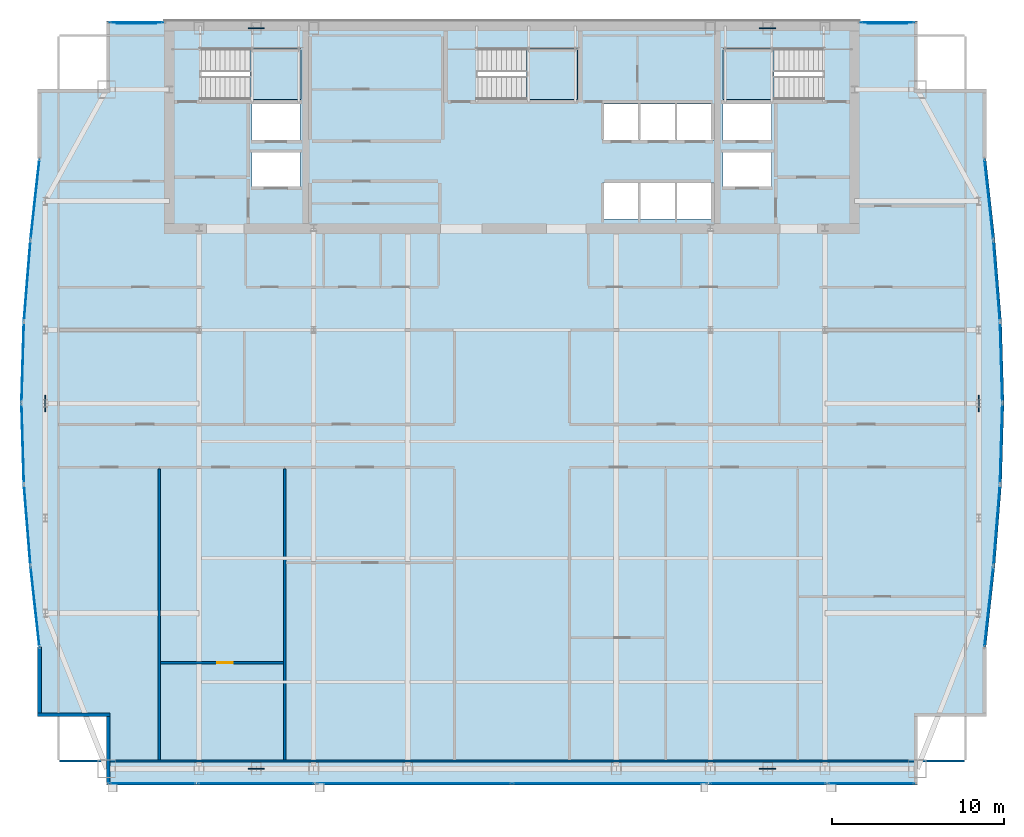
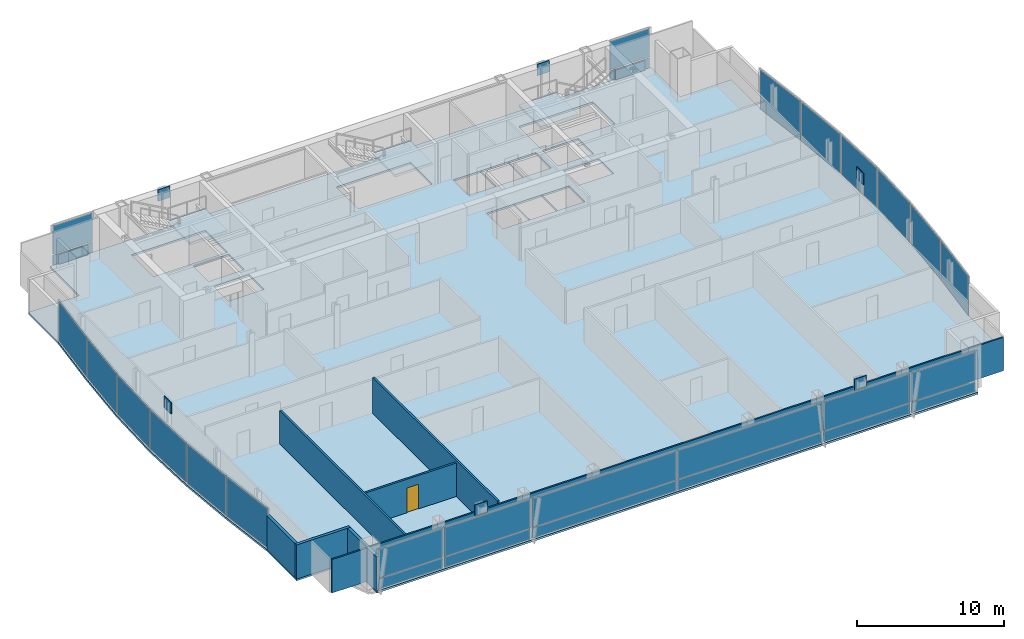
# One storey, part 23 of 29: 36 plates, 7 walls, 4 slabs, 1 door, 1 opening, 22 elements without a shape of their own.
"""IFC4 building model written with IfcOpenShell, lengths in metres."""

from ifc_helpers import new_model, si_unit, direction, frame, frame_2d, origin, origin_2d, place, context, subcontext, project, spatial, polyline, rectangle, outline, extrude, material, layer, layer_set, type_object, element, fill, aggregate, save


model = new_model("IFC4")

# Units and contexts
model_context = context("Model", 3, precision=1e-05, world=origin(), true_north=direction((0.0, 1.0)))
body_context = subcontext(model_context, "Body", "Model", "MODEL_VIEW")
ifc_project = project(units=[si_unit("LENGTHUNIT", "METRE"), si_unit("AREAUNIT", "SQUARE_METRE"), si_unit("VOLUMEUNIT", "CUBIC_METRE"), si_unit("PLANEANGLEUNIT", "RADIAN"), si_unit("MASSUNIT", "GRAM", prefix="KILO")], contexts=[model_context])

# Site, building, storey
site_placement = place(None, origin())
site = spatial("IfcSite", under=ifc_project, at=site_placement, CompositionType="ELEMENT")
building_placement = place(site_placement, origin())
building = spatial("IfcBuilding", under=site, at=building_placement, Name="Khoronbel Lancet Exchange", CompositionType="ELEMENT")
storey_placement = place(building_placement, frame((0.0, 0.0, 246.199951171875)))
storey = spatial("IfcBuildingStorey", under=building, at=storey_placement, Name="L63", CompositionType="ELEMENT", Elevation=246.199951171875)

# Curtain wall, plate
ifc_material_1 = material(Name="Low-E Solar Control Insulating Glass", Category="glass")
curtain_wall_type_1 = type_object("IfcCurtainWallType", Name="CW-4", PredefinedType="NOTDEFINED", material=ifc_material_1)
curtain_wall_1_placement = place(storey_placement, origin())
curtain_wall_1 = element("IfcCurtainWall", 1, at=curtain_wall_1_placement, inside=storey, type_object=curtain_wall_type_1, Name="Unitised curtain wall CW-L63-E05", PredefinedType="NOTDEFINED")
ifc_material_2 = material(Name="Bronze-Anodised Aluminium 6063-T6", Category="aluminium")
ifc_layer_1 = layer(ifc_material_2, 0.050048828125, Name="Bronze-Anodised Aluminium 6063-T6")
ifc_layer_set_1 = layer_set([ifc_layer_1], Name="Bronze-Anodised Aluminium 6063-T6")
plate_type_1 = type_object("IfcPlateType", Name="PLT-CSP1", PredefinedType="SHEET", material=ifc_layer_set_1)
plate_1_placement = place(storey_placement, frame((8.22265625, 24.331787109375, 0.0849609375), z_axis=(0.0, 0.0, 1.0), x_axis=(-0.080639943095, 0.996743296731, 0.0)))
plate_1 = element("IfcPlate", 2, at=plate_1_placement, type_object=plate_type_1, Name="CW4 panel 1.1", PredefinedType="CURTAIN_PANEL", context=body_context, shape_type="SweptSolid", body=[
    extrude(rectangle(XDim=4.61181640625, YDim=0.0380859375, at=origin_2d()), origin(), (0.0, 0.0, 1.0), 3.27001953125),
])
aggregate(curtain_wall_1, [plate_1])

curtain_wall_2_placement = place(storey_placement, origin())
curtain_wall_2 = element("IfcCurtainWall", 3, at=curtain_wall_2_placement, inside=storey, type_object=curtain_wall_type_1, Name="Unitised curtain wall CW-L63-E06", PredefinedType="NOTDEFINED")
plate_2_placement = place(storey_placement, frame((7.960205078125, 29.077392578125, 0.0849609375), z_axis=(0.0, 0.0, 1.0), x_axis=(-0.029618191076, 0.999561285143, 0.0)))
plate_2 = element("IfcPlate", 4, at=plate_2_placement, type_object=plate_type_1, Name="CW4 panel 1.1", PredefinedType="CURTAIN_PANEL", context=body_context, shape_type="SweptSolid", body=[
    extrude(rectangle(XDim=4.59716796875, YDim=0.0380859375, at=origin_2d()), origin(), (0.0, 0.0, 1.0), 3.27001953125),
])
aggregate(curtain_wall_2, [plate_2])

curtain_wall_3_placement = place(storey_placement, origin())
curtain_wall_3 = element("IfcCurtainWall", 5, at=curtain_wall_3_placement, inside=storey, type_object=curtain_wall_type_1, Name="Unitised curtain wall CW-L63-E07", PredefinedType="NOTDEFINED")
plate_3_placement = place(storey_placement, frame((7.960205078125, 33.822509765625, 0.0849609375), z_axis=(0.0, 0.0, 1.0), x_axis=(0.029618191076, 0.999561285143, 0.0)))
plate_3 = element("IfcPlate", 6, at=plate_3_placement, type_object=plate_type_1, Name="CW4 panel 1.1", PredefinedType="CURTAIN_PANEL", context=body_context, shape_type="SweptSolid", body=[
    extrude(rectangle(XDim=4.59716796875, YDim=0.0380859375, at=origin_2d()), origin(), (0.0, 0.0, 1.0), 3.27001953125),
])
aggregate(curtain_wall_3, [plate_3])

curtain_wall_4_placement = place(storey_placement, origin())
curtain_wall_4 = element("IfcCurtainWall", 7, at=curtain_wall_4_placement, inside=storey, type_object=curtain_wall_type_1, Name="Unitised curtain wall CW-L63-E08", PredefinedType="NOTDEFINED")
plate_4_placement = place(storey_placement, frame((8.22265625, 38.568115234375, 0.0849609375), z_axis=(0.0, 0.0, 1.0), x_axis=(0.080639943095, 0.996743296731, 0.0)))
plate_4 = element("IfcPlate", 8, at=plate_4_placement, type_object=plate_type_1, Name="CW4 panel 1.1", PredefinedType="CURTAIN_PANEL", context=body_context, shape_type="SweptSolid", body=[
    extrude(rectangle(XDim=4.61181640625, YDim=0.0380859375, at=origin_2d()), origin(), (0.0, 0.0, 1.0), 3.27001953125),
])
aggregate(curtain_wall_4, [plate_4])

curtain_wall_type_2 = type_object("IfcCurtainWallType", Name="CW-3", PredefinedType="NOTDEFINED", material=ifc_material_1)
curtain_wall_5_placement = place(storey_placement, origin())
curtain_wall_5 = element("IfcCurtainWall", 9, at=curtain_wall_5_placement, inside=storey, type_object=curtain_wall_type_2, Name="Unitised curtain wall CW-L63-NWFLK", PredefinedType="NOTDEFINED")
plate_5_placement = place(storey_placement, frame((14.580078125, 53.550048828125, 0.0498046875), z_axis=(0.0, 0.0, 1.0), x_axis=(-1.0, 0.0, 0.0)))
plate_5 = element("IfcPlate", 10, at=plate_5_placement, type_object=plate_type_1, Name="Insulated bronze spandrel cassette CW-L63-NWFLK", PredefinedType="SHEET", context=body_context, shape_type="SweptSolid", body=[
    extrude(rectangle(XDim=2.2958984375, YDim=0.050048828125, at=origin_2d()), origin(), (0.0, 0.0, 1.0), 0.800048828125),
])

curtain_wall_6_placement = place(storey_placement, origin())
curtain_wall_6 = element("IfcCurtainWall", 11, at=curtain_wall_6_placement, inside=storey, type_object=curtain_wall_type_2, Name="Unitised curtain wall CW-L63-NEFLK", PredefinedType="NOTDEFINED")
plate_6_placement = place(storey_placement, frame((58.320068359375, 53.550048828125, 0.0498046875), z_axis=(0.0, 0.0, 1.0), x_axis=(-1.0, 0.0, 0.0)))
plate_6 = element("IfcPlate", 12, at=plate_6_placement, type_object=plate_type_1, Name="Insulated bronze spandrel cassette CW-L63-NEFLK", PredefinedType="SHEET", context=body_context, shape_type="SweptSolid", body=[
    extrude(rectangle(XDim=2.2958984375, YDim=0.050048828125, at=origin_2d()), origin(), (0.0, 0.0, 1.0), 0.800048828125),
])

curtain_wall_7_placement = place(storey_placement, origin())
curtain_wall_7 = element("IfcCurtainWall", 13, at=curtain_wall_7_placement, inside=storey, type_object=curtain_wall_type_1, Name="Unitised curtain wall CW-L63-E18", PredefinedType="NOTDEFINED")
plate_7_placement = place(storey_placement, frame((64.677490234375, 38.568115234375, 0.0849609375), z_axis=(0.0, 0.0, 1.0), x_axis=(0.080639943095, -0.996743296731, 0.0)))
plate_7 = element("IfcPlate", 14, at=plate_7_placement, type_object=plate_type_1, Name="CW4 panel 1.1", PredefinedType="CURTAIN_PANEL", context=body_context, shape_type="SweptSolid", body=[
    extrude(rectangle(XDim=4.61181640625, YDim=0.0380859375, at=origin_2d()), origin(), (0.0, 0.0, 1.0), 3.27001953125),
])
aggregate(curtain_wall_7, [plate_7])

curtain_wall_8_placement = place(storey_placement, origin())
curtain_wall_8 = element("IfcCurtainWall", 15, at=curtain_wall_8_placement, inside=storey, type_object=curtain_wall_type_1, Name="Unitised curtain wall CW-L63-E19", PredefinedType="NOTDEFINED")
plate_8_placement = place(storey_placement, frame((64.939697265625, 33.822509765625, 0.0849609375), z_axis=(0.0, 0.0, 1.0), x_axis=(0.029618191076, -0.999561285143, 0.0)))
plate_8 = element("IfcPlate", 16, at=plate_8_placement, type_object=plate_type_1, Name="CW4 panel 1.1", PredefinedType="CURTAIN_PANEL", context=body_context, shape_type="SweptSolid", body=[
    extrude(rectangle(XDim=4.59716796875, YDim=0.0380859375, at=origin_2d()), origin(), (0.0, 0.0, 1.0), 3.27001953125),
])
aggregate(curtain_wall_8, [plate_8])

curtain_wall_9_placement = place(storey_placement, origin())
curtain_wall_9 = element("IfcCurtainWall", 17, at=curtain_wall_9_placement, inside=storey, type_object=curtain_wall_type_1, Name="Unitised curtain wall CW-L63-E20", PredefinedType="NOTDEFINED")
plate_9_placement = place(storey_placement, frame((64.939697265625, 29.077392578125, 0.0849609375), z_axis=(0.0, 0.0, 1.0), x_axis=(-0.029618191076, -0.999561285143, 0.0)))
plate_9 = element("IfcPlate", 18, at=plate_9_placement, type_object=plate_type_1, Name="CW4 panel 1.1", PredefinedType="CURTAIN_PANEL", context=body_context, shape_type="SweptSolid", body=[
    extrude(rectangle(XDim=4.59716796875, YDim=0.0380859375, at=origin_2d()), origin(), (0.0, 0.0, 1.0), 3.27001953125),
])
aggregate(curtain_wall_9, [plate_9])

curtain_wall_10_placement = place(storey_placement, origin())
curtain_wall_10 = element("IfcCurtainWall", 19, at=curtain_wall_10_placement, inside=storey, type_object=curtain_wall_type_1, Name="Unitised curtain wall CW-L63-E21", PredefinedType="NOTDEFINED")
plate_10_placement = place(storey_placement, frame((64.677490234375, 24.331787109375, 0.0849609375), z_axis=(0.0, 0.0, 1.0), x_axis=(-0.080639943095, -0.996743296731, 0.0)))
plate_10 = element("IfcPlate", 20, at=plate_10_placement, type_object=plate_type_1, Name="CW4 panel 1.1", PredefinedType="CURTAIN_PANEL", context=body_context, shape_type="SweptSolid", body=[
    extrude(rectangle(XDim=4.61181640625, YDim=0.0380859375, at=origin_2d()), origin(), (0.0, 0.0, 1.0), 3.27001953125),
])
aggregate(curtain_wall_10, [plate_10])

# Curtain wall, plates
curtain_wall_11_placement = place(storey_placement, origin())
curtain_wall_11 = element("IfcCurtainWall", 21, at=curtain_wall_11_placement, inside=storey, type_object=curtain_wall_type_2, Name="Unitised curtain wall CW-L63-SWB", PredefinedType="NOTDEFINED")
plate_11_placement = place(storey_placement, frame((21.550048828125, 9.2900390625, 0.0849609375), z_axis=(0.0, 0.0, 1.0), x_axis=(1.0, 0.0, 0.0)))
plate_11 = element("IfcPlate", 22, at=plate_11_placement, type_object=plate_type_1, Name="CW3 panel 1.1", PredefinedType="CURTAIN_PANEL", context=body_context, shape_type="SweptSolid", body=[
    extrude(rectangle(XDim=6.72998046875, YDim=0.0380859375, at=origin_2d()), origin(), (0.0, 0.0, 1.0), 0.822509765625),
])
plate_12_placement = place(storey_placement, frame((21.550048828125, 9.2900390625, 0.99267578125), z_axis=(0.0, 0.0, 1.0), x_axis=(1.0, 0.0, 0.0)))
plate_12 = element("IfcPlate", 23, at=plate_12_placement, type_object=plate_type_1, Name="CW3 panel 1.2", PredefinedType="CURTAIN_PANEL", context=body_context, shape_type="SweptSolid", body=[
    extrude(rectangle(XDim=6.72998046875, YDim=0.0380859375, at=origin_2d()), origin(), (0.0, 0.0, 1.0), 2.362548828125),
])
aggregate(curtain_wall_11, [plate_11, plate_12])

curtain_wall_12_placement = place(storey_placement, origin())
curtain_wall_12 = element("IfcCurtainWall", 24, at=curtain_wall_12_placement, inside=storey, type_object=curtain_wall_type_2, Name="Unitised curtain wall CW-L63-SEB", PredefinedType="NOTDEFINED")
plate_13_placement = place(storey_placement, frame((51.35009765625, 9.2900390625, 0.0849609375), z_axis=(0.0, 0.0, 1.0), x_axis=(1.0, 0.0, 0.0)))
plate_13 = element("IfcPlate", 25, at=plate_13_placement, type_object=plate_type_1, Name="CW3 panel 1.1", PredefinedType="CURTAIN_PANEL", context=body_context, shape_type="SweptSolid", body=[
    extrude(rectangle(XDim=6.72998046875, YDim=0.0380859375, at=origin_2d()), origin(), (0.0, 0.0, 1.0), 0.822509765625),
])
plate_14_placement = place(storey_placement, frame((51.35009765625, 9.2900390625, 0.99267578125), z_axis=(0.0, 0.0, 1.0), x_axis=(1.0, 0.0, 0.0)))
plate_14 = element("IfcPlate", 26, at=plate_14_placement, type_object=plate_type_1, Name="CW3 panel 1.2", PredefinedType="CURTAIN_PANEL", context=body_context, shape_type="SweptSolid", body=[
    extrude(rectangle(XDim=6.72998046875, YDim=0.0380859375, at=origin_2d()), origin(), (0.0, 0.0, 1.0), 2.362548828125),
])
aggregate(curtain_wall_12, [plate_13, plate_14])

# Plate
ifc_layer_2 = layer(ifc_material_1, 0.035888671875, Name="Low-E Solar Control Insulating Glass")
ifc_layer_set_2 = layer_set([ifc_layer_2], Name="Low-E Solar Control Insulating Glass")
plate_type_2 = type_object("IfcPlateType", Name="PLT-CWP1", PredefinedType="CURTAIN_PANEL", material=ifc_layer_set_2)
plate_15_placement = place(storey_placement, frame((14.580078125, 53.610107421875, 0.0849609375), z_axis=(0.0, 0.0, 1.0), x_axis=(-1.0, 0.0, 0.0)))
plate_15 = element("IfcPlate", 27, at=plate_15_placement, type_object=plate_type_2, Name="CW3 panel 1.1", PredefinedType="CURTAIN_PANEL", context=body_context, shape_type="SweptSolid", body=[
    extrude(rectangle(XDim=3.110107421875, YDim=0.0380859375, at=origin_2d()), origin(), (0.0, 0.0, 1.0), 0.822509765625),
])

plate_16_placement = place(storey_placement, frame((14.580078125, 53.610107421875, 0.99267578125), z_axis=(0.0, 0.0, 1.0), x_axis=(-1.0, 0.0, 0.0)))
plate_16 = element("IfcPlate", 28, at=plate_16_placement, type_object=plate_type_2, Name="CW3 panel 1.2", PredefinedType="CURTAIN_PANEL", context=body_context, shape_type="SweptSolid", body=[
    extrude(rectangle(XDim=3.110107421875, YDim=0.0380859375, at=origin_2d()), origin(), (0.0, 0.0, 1.0), 2.362548828125),
])

aggregate(curtain_wall_5, [plate_15, plate_16, plate_5])

plate_17_placement = place(storey_placement, frame((58.320068359375, 53.610107421875, 0.0849609375), z_axis=(0.0, 0.0, 1.0), x_axis=(-1.0, 0.0, 0.0)))
plate_17 = element("IfcPlate", 29, at=plate_17_placement, type_object=plate_type_2, Name="CW3 panel 1.1", PredefinedType="CURTAIN_PANEL", context=body_context, shape_type="SweptSolid", body=[
    extrude(rectangle(XDim=3.110107421875, YDim=0.0380859375, at=origin_2d()), origin(), (0.0, 0.0, 1.0), 0.822509765625),
])

plate_18_placement = place(storey_placement, frame((58.320068359375, 53.610107421875, 0.99267578125), z_axis=(0.0, 0.0, 1.0), x_axis=(-1.0, 0.0, 0.0)))
plate_18 = element("IfcPlate", 30, at=plate_18_placement, type_object=plate_type_2, Name="CW3 panel 1.2", PredefinedType="CURTAIN_PANEL", context=body_context, shape_type="SweptSolid", body=[
    extrude(rectangle(XDim=3.110107421875, YDim=0.0380859375, at=origin_2d()), origin(), (0.0, 0.0, 1.0), 2.362548828125),
])

aggregate(curtain_wall_6, [plate_17, plate_18, plate_6])

# Curtain wall, plates
curtain_wall_13_placement = place(storey_placement, origin())
curtain_wall_13 = element("IfcCurtainWall", 31, at=curtain_wall_13_placement, inside=storey, type_object=curtain_wall_type_2, Name="Unitised curtain wall CW-L63-SWV", PredefinedType="NOTDEFINED")
plate_19_placement = place(storey_placement, frame((15.52001953125, 9.2900390625, 0.0849609375), z_axis=(0.0, 0.0, 1.0), x_axis=(1.0, 0.0, 0.0)))
plate_19 = element("IfcPlate", 32, at=plate_19_placement, type_object=plate_type_2, Name="CW3 panel 1.1", PredefinedType="CURTAIN_PANEL", context=body_context, shape_type="SweptSolid", body=[
    extrude(rectangle(XDim=4.989990234375, YDim=0.0380859375, at=origin_2d()), origin(), (0.0, 0.0, 1.0), 0.822509765625),
])
plate_20_placement = place(storey_placement, frame((15.52001953125, 9.2900390625, 0.99267578125), z_axis=(0.0, 0.0, 1.0), x_axis=(1.0, 0.0, 0.0)))
plate_20 = element("IfcPlate", 33, at=plate_20_placement, type_object=plate_type_2, Name="CW3 panel 1.2", PredefinedType="CURTAIN_PANEL", context=body_context, shape_type="SweptSolid", body=[
    extrude(rectangle(XDim=4.989990234375, YDim=0.0380859375, at=origin_2d()), origin(), (0.0, 0.0, 1.0), 2.362548828125),
])
aggregate(curtain_wall_13, [plate_19, plate_20])

curtain_wall_14_placement = place(storey_placement, origin())
curtain_wall_14 = element("IfcCurtainWall", 34, at=curtain_wall_14_placement, inside=storey, type_object=curtain_wall_type_2, Name="Unitised curtain wall CW-L63-SCV", PredefinedType="NOTDEFINED")
plate_21_placement = place(storey_placement, frame((30.746337890625, 9.2900390625, 0.0849609375), z_axis=(0.0, 0.0, 1.0), x_axis=(1.0, 0.0, 0.0)))
plate_21 = element("IfcPlate", 35, at=plate_21_placement, type_object=plate_type_2, Name="CW3 panel 1.1", PredefinedType="CURTAIN_PANEL", context=body_context, shape_type="SweptSolid", body=[
    extrude(rectangle(XDim=11.322509765625, YDim=0.0380859375, at=origin_2d()), origin(), (0.0, 0.0, 1.0), 0.822509765625),
])
plate_22_placement = place(storey_placement, frame((30.746337890625, 9.2900390625, 0.99267578125), z_axis=(0.0, 0.0, 1.0), x_axis=(1.0, 0.0, 0.0)))
plate_22 = element("IfcPlate", 36, at=plate_22_placement, type_object=plate_type_2, Name="CW3 panel 1.2", PredefinedType="CURTAIN_PANEL", context=body_context, shape_type="SweptSolid", body=[
    extrude(rectangle(XDim=11.322509765625, YDim=0.0380859375, at=origin_2d()), origin(), (0.0, 0.0, 1.0), 2.362548828125),
])
plate_23_placement = place(storey_placement, frame((42.15380859375, 9.2900390625, 0.0849609375), z_axis=(0.0, 0.0, 1.0), x_axis=(1.0, 0.0, 0.0)))
plate_23 = element("IfcPlate", 37, at=plate_23_placement, type_object=plate_type_2, Name="CW3 panel 2.1", PredefinedType="CURTAIN_PANEL", context=body_context, shape_type="SweptSolid", body=[
    extrude(rectangle(XDim=11.322509765625, YDim=0.0380859375, at=origin_2d()), origin(), (0.0, 0.0, 1.0), 0.822509765625),
])
plate_24_placement = place(storey_placement, frame((42.15380859375, 9.2900390625, 0.99267578125), z_axis=(0.0, 0.0, 1.0), x_axis=(1.0, 0.0, 0.0)))
plate_24 = element("IfcPlate", 38, at=plate_24_placement, type_object=plate_type_2, Name="CW3 panel 2.2", PredefinedType="CURTAIN_PANEL", context=body_context, shape_type="SweptSolid", body=[
    extrude(rectangle(XDim=11.322509765625, YDim=0.0380859375, at=origin_2d()), origin(), (0.0, 0.0, 1.0), 2.362548828125),
])
aggregate(curtain_wall_14, [plate_21, plate_22, plate_23, plate_24])

curtain_wall_15_placement = place(storey_placement, origin())
curtain_wall_15 = element("IfcCurtainWall", 39, at=curtain_wall_15_placement, inside=storey, type_object=curtain_wall_type_2, Name="Unitised curtain wall CW-L63-SEV", PredefinedType="NOTDEFINED")
plate_25_placement = place(storey_placement, frame((57.3798828125, 9.2900390625, 0.0849609375), z_axis=(0.0, 0.0, 1.0), x_axis=(1.0, 0.0, 0.0)))
plate_25 = element("IfcPlate", 40, at=plate_25_placement, type_object=plate_type_2, Name="CW3 panel 1.1", PredefinedType="CURTAIN_PANEL", context=body_context, shape_type="SweptSolid", body=[
    extrude(rectangle(XDim=4.989990234375, YDim=0.0380859375, at=origin_2d()), origin(), (0.0, 0.0, 1.0), 0.822509765625),
])
plate_26_placement = place(storey_placement, frame((57.3798828125, 9.2900390625, 0.99267578125), z_axis=(0.0, 0.0, 1.0), x_axis=(1.0, 0.0, 0.0)))
plate_26 = element("IfcPlate", 41, at=plate_26_placement, type_object=plate_type_2, Name="CW3 panel 1.2", PredefinedType="CURTAIN_PANEL", context=body_context, shape_type="SweptSolid", body=[
    extrude(rectangle(XDim=4.989990234375, YDim=0.0380859375, at=origin_2d()), origin(), (0.0, 0.0, 1.0), 2.362548828125),
])
aggregate(curtain_wall_15, [plate_25, plate_26])

# Curtain wall, plate
curtain_wall_16_placement = place(storey_placement, origin())
curtain_wall_16 = element("IfcCurtainWall", 42, at=curtain_wall_16_placement, inside=storey, type_object=curtain_wall_type_1, Name="Unitised curtain wall CW-L63-E04", PredefinedType="NOTDEFINED")
ifc_material_3 = material(Name="Ceramic-Fritted Laminated Insulating Glass", Category="glass")
ifc_layer_3 = layer(ifc_material_3, 0.0419921875, Name="Ceramic-Fritted Laminated Insulating Glass")
ifc_layer_set_3 = layer_set([ifc_layer_3], Name="Ceramic-Fritted Laminated Insulating Glass")
plate_type_3 = type_object("IfcPlateType", Name="PLT-CWP2", PredefinedType="CURTAIN_PANEL", material=ifc_layer_set_3)
plate_27_placement = place(storey_placement, frame((8.67724609375, 19.581787109375, 0.0849609375), z_axis=(0.0, 0.0, 1.0), x_axis=(-0.109857775256, 0.993947317123, 0.0)))
plate_27 = element("IfcPlate", 43, at=plate_27_placement, type_object=plate_type_3, Name="CW4 panel 1.1", PredefinedType="CURTAIN_PANEL", context=body_context, shape_type="SweptSolid", body=[
    extrude(rectangle(XDim=4.632568359375, YDim=0.0380859375, at=origin_2d()), origin(), (0.0, 0.0, 1.0), 3.27001953125),
])
aggregate(curtain_wall_16, [plate_27])

curtain_wall_17_placement = place(storey_placement, origin())
curtain_wall_17 = element("IfcCurtainWall", 44, at=curtain_wall_17_placement, inside=storey, type_object=curtain_wall_type_1, Name="Unitised curtain wall CW-L63-E09", PredefinedType="NOTDEFINED")
plate_28_placement = place(storey_placement, frame((8.67724609375, 43.318115234375, 0.0849609375), z_axis=(0.0, 0.0, 1.0), x_axis=(0.109857775256, 0.993947317123, 0.0)))
plate_28 = element("IfcPlate", 45, at=plate_28_placement, type_object=plate_type_3, Name="CW4 panel 1.1", PredefinedType="CURTAIN_PANEL", context=body_context, shape_type="SweptSolid", body=[
    extrude(rectangle(XDim=4.632568359375, YDim=0.0380859375, at=origin_2d()), origin(), (0.0, 0.0, 1.0), 3.27001953125),
])
aggregate(curtain_wall_17, [plate_28])

curtain_wall_18_placement = place(storey_placement, origin())
curtain_wall_18 = element("IfcCurtainWall", 46, at=curtain_wall_18_placement, inside=storey, type_object=curtain_wall_type_1, Name="Unitised curtain wall CW-L63-E17", PredefinedType="NOTDEFINED")
plate_29_placement = place(storey_placement, frame((64.22265625, 43.318115234375, 0.0849609375), z_axis=(0.0, 0.0, 1.0), x_axis=(0.109857775256, -0.993947317123, 0.0)))
plate_29 = element("IfcPlate", 47, at=plate_29_placement, type_object=plate_type_3, Name="CW4 panel 1.1", PredefinedType="CURTAIN_PANEL", context=body_context, shape_type="SweptSolid", body=[
    extrude(rectangle(XDim=4.632568359375, YDim=0.0380859375, at=origin_2d()), origin(), (0.0, 0.0, 1.0), 3.27001953125),
])
aggregate(curtain_wall_18, [plate_29])

curtain_wall_19_placement = place(storey_placement, origin())
curtain_wall_19 = element("IfcCurtainWall", 48, at=curtain_wall_19_placement, inside=storey, type_object=curtain_wall_type_1, Name="Unitised curtain wall CW-L63-E22", PredefinedType="NOTDEFINED")
plate_30_placement = place(storey_placement, frame((64.22265625, 19.581787109375, 0.0849609375), z_axis=(0.0, 0.0, 1.0), x_axis=(-0.109857775256, -0.993947317123, 0.0)))
plate_30 = element("IfcPlate", 49, at=plate_30_placement, type_object=plate_type_3, Name="CW4 panel 1.1", PredefinedType="CURTAIN_PANEL", context=body_context, shape_type="SweptSolid", body=[
    extrude(rectangle(XDim=4.632568359375, YDim=0.0380859375, at=origin_2d()), origin(), (0.0, 0.0, 1.0), 3.27001953125),
])
aggregate(curtain_wall_19, [plate_30])

# Plates
ifc_material_4 = material(Name="Steel S460", Category="steel")
ifc_layer_4 = layer(ifc_material_4, 0.06005859375, Name="Steel S460")
ifc_layer_set_4 = layer_set([ifc_layer_4], Name="Steel S460")
plate_type_4 = type_object("IfcPlateType", Name="PLT-ND3", PredefinedType="USERDEFINED", material=ifc_layer_set_4)
for number, where, z_axis, x_axis, name in (
    (50, (21.5625, 10.14990234375, 2.77490234375), (0.0, 0.0, 1.0), (1.0, 0.0, 0.0), "ND3 perimeter brace node gusset T21-S-W"),
    (51, (51.33740234375, 10.14990234375, 2.77490234375), (0.0, 0.0, 1.0), (1.0, 0.0, 0.0), "ND3 perimeter brace node gusset T21-S-E"),
    (52, (21.5625, 53.280029296875, 2.77490234375), (0.0, 0.0, 1.0), (1.0, 0.0, 0.0), "ND3 perimeter brace node gusset T21-N-W"),
    (53, (51.33740234375, 53.280029296875, 2.77490234375), (0.0, 0.0, 1.0), (1.0, 0.0, 0.0), "ND3 perimeter brace node gusset T21-N-E"),
    (54, (9.27001953125, 31.425048828125, 2.77490234375), (0.0, 0.0, 1.0), (0.0, 1.0, 0.0), "ND3 perimeter brace node gusset T21-W-P"),
    (55, (63.6298828125, 31.425048828125, 2.77490234375), (0.0, 0.0, 1.0), (0.0, 1.0, 0.0), "ND3 perimeter brace node gusset T21-E-P"),
):
    element("IfcPlate", number, at=place(storey_placement, frame(where, z_axis=z_axis, x_axis=x_axis)), inside=storey, type_object=plate_type_4, Name=name, ObjectType="GUSSET_PLATE", PredefinedType="USERDEFINED", context=body_context, shape_type="SweptSolid", body=[
        extrude(rectangle(XDim=0.949951171875, YDim=0.06005859375, at=origin_2d()), origin(), (0.0, 0.0, 1.0), 0.949951171875),
    ])

# Slab
ifc_material_5 = material(Name="Concrete C40/50", Category="concrete")
ifc_layer_5 = layer(ifc_material_5, 0.159912109375, Name="Concrete C40/50")
ifc_layer_set_5 = layer_set([ifc_layer_5], Name="Concrete C40/50")
slab_type_1 = type_object("IfcSlabType", Name="SL-FL160", PredefinedType="FLOOR", material=ifc_layer_set_5)
slab_1_placement = place(storey_placement, frame((0.0, 0.0, -0.159912109375)))
element("IfcSlab", 56, at=slab_1_placement, inside=storey, type_object=slab_type_1, Name="Level L63 composite structural floor slab", PredefinedType="FLOOR", context=body_context, shape_type="SweptSolid", body=[
    extrude(outline(polyline([(12.85009765625, 9.199951171875), (60.050048828125, 9.199951171875), (60.050048828125, 13.199951171875), (64.050048828125, 13.199951171875), (64.050048828125, 17.199951171875), (64.574951171875, 21.949951171875), (64.959228515625, 26.699951171875), (65.10009765625, 31.449951171875), (64.959228515625, 36.199951171875), (64.574951171875, 40.949951171875), (64.050048828125, 45.699951171875), (64.050048828125, 49.699951171875), (60.050048828125, 49.699951171875), (60.050048828125, 53.699951171875), (12.85009765625, 53.699951171875), (12.85009765625, 49.699951171875), (8.85009765625, 49.699951171875), (8.85009765625, 45.699951171875), (8.324951171875, 40.949951171875), (7.940673828125, 36.199951171875), (7.800048828125, 31.449951171875), (7.940673828125, 26.699951171875), (8.324951171875, 21.949951171875), (8.85009765625, 17.199951171875), (8.85009765625, 13.199951171875), (12.85009765625, 13.199951171875), (12.85009765625, 9.199951171875)]), holes=[polyline([(18.324951171875, 49.1201171875), (24.14990234375, 49.1201171875), (24.14990234375, 52.10009765625), (18.324951171875, 52.10009765625), (18.324951171875, 49.1201171875)]), polyline([(48.75, 49.1201171875), (54.574951171875, 49.1201171875), (54.574951171875, 52.10009765625), (48.75, 52.10009765625), (48.75, 49.1201171875)]), polyline([(34.425048828125, 49.1201171875), (40.25, 49.1201171875), (40.25, 52.10009765625), (34.425048828125, 52.10009765625), (34.425048828125, 49.1201171875)]), polyline([(41.739990234375, 46.75), (43.8798828125, 46.75), (43.8798828125, 48.85009765625), (41.739990234375, 48.85009765625), (41.739990234375, 46.75)]), polyline([(43.89990234375, 46.75), (46.0400390625, 46.75), (46.0400390625, 48.85009765625), (43.89990234375, 48.85009765625), (43.89990234375, 46.75)]), polyline([(46.06005859375, 46.75), (48.199951171875, 46.75), (48.199951171875, 48.85009765625), (46.06005859375, 48.85009765625), (46.06005859375, 46.75)]), polyline([(41.739990234375, 42.14990234375), (43.8798828125, 42.14990234375), (43.8798828125, 44.300048828125), (41.739990234375, 44.300048828125), (41.739990234375, 42.14990234375)]), polyline([(43.89990234375, 42.14990234375), (46.0400390625, 42.14990234375), (46.0400390625, 44.300048828125), (43.89990234375, 44.300048828125), (43.89990234375, 42.14990234375)]), polyline([(46.06005859375, 42.14990234375), (48.199951171875, 42.14990234375), (48.199951171875, 44.300048828125), (46.06005859375, 44.300048828125), (46.06005859375, 42.14990234375)]), polyline([(21.300048828125, 46.75), (24.10009765625, 46.75), (24.10009765625, 48.85009765625), (21.300048828125, 48.85009765625), (21.300048828125, 46.75)]), polyline([(48.75, 46.75), (51.550048828125, 46.75), (51.550048828125, 48.85009765625), (48.75, 48.85009765625), (48.75, 46.75)]), polyline([(21.300048828125, 44.050048828125), (24.10009765625, 44.050048828125), (24.10009765625, 46.050048828125), (21.300048828125, 46.050048828125), (21.300048828125, 44.050048828125)]), polyline([(48.75, 44.050048828125), (51.550048828125, 44.050048828125), (51.550048828125, 46.050048828125), (48.75, 46.050048828125), (48.75, 44.050048828125)])]), origin(), (0.0, 0.0, 1.0), 0.159912109375),
])

# Stair, slab
stair_type = type_object("IfcStairType", Name="STR-CORE150", PredefinedType="HALF_TURN_STAIR", material=ifc_material_5)
stair_1_placement = place(storey_placement, origin())
stair_1 = element("IfcStair", 57, at=stair_1_placement, inside=storey, type_object=stair_type, Name="L63 Protected Exit Stair ST1", PredefinedType="HALF_TURN_STAIR")
ifc_layer_6 = layer(ifc_material_5, 0.199951171875, Name="Concrete C40/50")
ifc_layer_set_6 = layer_set([ifc_layer_6], Name="Concrete C40/50")
slab_type_2 = type_object("IfcSlabType", Name="SL-LND180", PredefinedType="LANDING", material=ifc_layer_set_6)
slab_2_placement = place(storey_placement, frame((0.0, 0.0, 1.60009765625)))
slab_2 = element("IfcSlab", 58, at=slab_2_placement, type_object=slab_type_2, Name="ST1 landing 1", PredefinedType="LANDING", context=body_context, shape_type="SweptSolid", body=[
    extrude(outline(polyline([(21.199951171875, 49.1201171875), (24.14990234375, 49.1201171875), (24.14990234375, 52.10009765625), (21.199951171875, 52.10009765625), (21.199951171875, 49.1201171875)])), origin(), (0.0, 0.0, 1.0), 0.199951171875),
])
aggregate(stair_1, [slab_2])

stair_2_placement = place(storey_placement, origin())
stair_2 = element("IfcStair", 59, at=stair_2_placement, inside=storey, type_object=stair_type, Name="L63 Protected Exit Stair ST2", PredefinedType="HALF_TURN_STAIR")
slab_3_placement = place(storey_placement, frame((0.0, 0.0, 1.60009765625)))
slab_3 = element("IfcSlab", 60, at=slab_3_placement, type_object=slab_type_2, Name="ST2 landing 1", PredefinedType="LANDING", context=body_context, shape_type="SweptSolid", body=[
    extrude(outline(polyline([(51.699951171875, 52.10009765625), (48.75, 52.10009765625), (48.75, 49.1201171875), (51.699951171875, 49.1201171875), (51.699951171875, 52.10009765625)])), origin(), (0.0, 0.0, 1.0), 0.199951171875),
])
aggregate(stair_2, [slab_3])

stair_3_placement = place(storey_placement, origin())
stair_3 = element("IfcStair", 61, at=stair_3_placement, inside=storey, type_object=stair_type, Name="L63 Protected Exit Stair ST3", PredefinedType="HALF_TURN_STAIR")
slab_4_placement = place(storey_placement, frame((0.0, 0.0, 1.60009765625)))
slab_4 = element("IfcSlab", 62, at=slab_4_placement, type_object=slab_type_2, Name="ST3 landing 1", PredefinedType="LANDING", context=body_context, shape_type="SweptSolid", body=[
    extrude(outline(polyline([(37.300048828125, 49.1201171875), (40.25, 49.1201171875), (40.25, 52.10009765625), (37.300048828125, 52.10009765625), (37.300048828125, 49.1201171875)])), origin(), (0.0, 0.0, 1.0), 0.199951171875),
])
aggregate(stair_3, [slab_4])

# Walls
ifc_material_6 = material(Name="Precast concrete C40/50", Category="concrete")
ifc_layer_7 = layer(ifc_material_6, 0.25, Name="Precast concrete C40/50")
ifc_layer_set_7 = layer_set([ifc_layer_7], Name="Precast concrete C40/50")
wall_type_1 = type_object("IfcWallType", Name="WL-EXT250", PredefinedType="SOLIDWALL", material=ifc_layer_set_7)
wall_1_placement = place(storey_placement, frame((12.93994140625, 9.27001953125, 0.0), z_axis=(0.0, 0.0, 1.0), x_axis=(0.0, 1.0, 0.0)))
element("IfcWall", 63, at=wall_1_placement, inside=storey, type_object=wall_type_1, Name="Level L63 notched-corner limestone pier 01", PredefinedType="SOLIDWALL", context=body_context, shape_type="SweptSolid", body=[
    extrude(rectangle(XDim=3.909912109375, YDim=0.219970703125, at=frame_2d((1.955078125, 0.0))), origin(), (0.0, 0.0, 1.0), 2.830078125),
])
wall_2_placement = place(storey_placement, frame((13.050048828125, 13.2900390625, 0.0), z_axis=(0.0, 0.0, 1.0), x_axis=(-1.0, 0.0, 0.0)))
element("IfcWall", 64, at=wall_2_placement, inside=storey, type_object=wall_type_1, Name="Level L63 notched-corner limestone pier 02", PredefinedType="SOLIDWALL", context=body_context, shape_type="SweptSolid", body=[
    extrude(rectangle(XDim=4.219970703125, YDim=0.219970703125, at=frame_2d((2.10986328125, 0.0))), origin(), (0.0, 0.0, 1.0), 2.830078125),
])
wall_3_placement = place(storey_placement, frame((8.93994140625, 13.39990234375, 0.0), z_axis=(0.0, 0.0, 1.0), x_axis=(0.0, 1.0, 0.0)))
element("IfcWall", 65, at=wall_3_placement, inside=storey, type_object=wall_type_1, Name="Level L63 notched-corner limestone pier 03", PredefinedType="SOLIDWALL", context=body_context, shape_type="SweptSolid", body=[
    extrude(rectangle(XDim=3.8251953125, YDim=0.219970703125, at=frame_2d((1.91259765625, 0.0))), origin(), (0.0, 0.0, 1.0), 2.830078125),
])

# Wall, opening, door
ifc_material_7 = material(Name="Acoustic Metal-Stud & Mineral-Wool Gypsum Partition 120 mm", Category="gypsum")
ifc_layer_8 = layer(ifc_material_7, 0.1201171875, Name="Acoustic Metal-Stud & Mineral-Wool Gypsum Partition 120 mm")
ifc_layer_set_8 = layer_set([ifc_layer_8], Name="Acoustic Metal-Stud & Mineral-Wool Gypsum Partition 120 mm")
wall_type_2 = type_object("IfcWallType", Name="WL-PRT120", PredefinedType="PARTITIONING", material=ifc_layer_set_8)
wall_4_placement = place(storey_placement, frame((15.99609375, 16.31689453125, 0.0), z_axis=(0.0, 0.0, 1.0), x_axis=(1.0, 0.0, 0.0)))
wall_4 = element("IfcWall", 66, at=wall_4_placement, inside=storey, type_object=wall_type_2, Name="Level L63 interior partition PW-Z3SW-H2", PredefinedType="PARTITIONING", context=body_context, shape_type="SweptSolid", body=[
    extrude(rectangle(XDim=7.140625, YDim=0.14990234375, at=frame_2d((3.5703125, 0.0))), origin(), (0.0, 0.0, 1.0), 2.780029296875),
])
opening_placement = place(wall_4_placement, frame((3.285400390625, 0.0, 0.0)))
opening = element("IfcOpeningElement", 67, at=opening_placement, cuts=wall_4, Name="Opening D5", PredefinedType="OPENING", context=body_context, shape_type="SweptSolid", body=[
    extrude(rectangle(XDim=0.89990234375, YDim=2.050048828125, at=frame_2d((0.449951171875, 1.02490234375))), frame((0.0, 0.0849609375, 0.0), z_axis=(0.0, -1.0, 0.0), x_axis=(1.0, 0.0, 0.0)), (0.0, 0.0, 1.0), 0.169921875),
])
ifc_material_8 = material(Name="Acoustic Timber Pantry & Support Door", Category="wood")
door_type = type_object("IfcDoorType", Name="DR-D5", OperationType="NOTDEFINED", PredefinedType="DOOR", material=ifc_material_8)
door_placement = place(opening_placement, origin())
door = element("IfcDoor", 68, at=door_placement, inside=storey, type_object=door_type, Name="Z3SW inner door 2 L63-1", OperationType="SINGLE_SWING_LEFT", OverallHeight=2.050048828125, OverallWidth=0.89990234375, PredefinedType="DOOR", context=body_context, shape_type="SweptSolid", body=[
    extrude(rectangle(XDim=0.89990234375, YDim=2.050048828125, at=frame_2d((0.449951171875, 1.02490234375))), frame((0.0, 0.02490234375, 0.0), z_axis=(0.0, -1.0, 0.0), x_axis=(1.0, 0.0, 0.0)), (0.0, 0.0, 1.0), 0.050048828125),
])
fill(opening, door)

# Walls
wall_5_placement = place(storey_placement, frame((10.094970703125, 10.60009765625, 0.0), z_axis=(0.0, 0.0, 1.0), x_axis=(1.0, 0.0, 0.0)))
element("IfcWall", 69, at=wall_5_placement, inside=storey, type_object=wall_type_2, Name="Level L63 interior partition PW-LIN-S", PredefinedType="PARTITIONING", context=body_context, shape_type="SweptSolid", body=[
    extrude(rectangle(XDim=52.7099609375, YDim=0.1201171875, at=frame_2d((26.35498046875, 0.0))), origin(), (0.0, 0.0, 1.0), 2.780029296875),
])
ifc_material_9 = material(Name="Fire-Rated Twin-Stud Acoustic Gypsum Partition 150 mm", Category="gypsum")
ifc_layer_9 = layer(ifc_material_9, 0.14990234375, Name="Fire-Rated Twin-Stud Acoustic Gypsum Partition 150 mm")
ifc_layer_set_9 = layer_set([ifc_layer_9], Name="Fire-Rated Twin-Stud Acoustic Gypsum Partition 150 mm")
wall_type_3 = type_object("IfcWallType", Name="WL-PRT150C", PredefinedType="PARTITIONING", material=ifc_layer_set_9)
wall_6_placement = place(storey_placement, frame((15.916015625, 10.6650390625, 0.0), z_axis=(0.0, 0.0, 1.0), x_axis=(0.0, 1.0, 0.0)))
element("IfcWall", 70, at=wall_6_placement, inside=storey, type_object=wall_type_3, Name="Level L63 interior partition PW-Z3SW-V1", PredefinedType="PARTITIONING", context=body_context, shape_type="SweptSolid", body=[
    extrude(rectangle(XDim=16.949951171875, YDim=0.14990234375, at=frame_2d((8.47509765625, 0.0))), origin(), (0.0, 0.0, 1.0), 2.780029296875),
])
wall_7_placement = place(storey_placement, frame((23.216796875, 10.6650390625, 0.0), z_axis=(0.0, 0.0, 1.0), x_axis=(0.0, 1.0, 0.0)))
element("IfcWall", 71, at=wall_7_placement, inside=storey, type_object=wall_type_3, Name="Level L63 interior partition PW-Z3SW-V2", PredefinedType="PARTITIONING", context=body_context, shape_type="SweptSolid", body=[
    extrude(rectangle(XDim=16.949951171875, YDim=0.14990234375, at=frame_2d((8.47509765625, 0.0))), origin(), (0.0, 0.0, 1.0), 2.97998046875),
])

save(model, "model.ifc")
